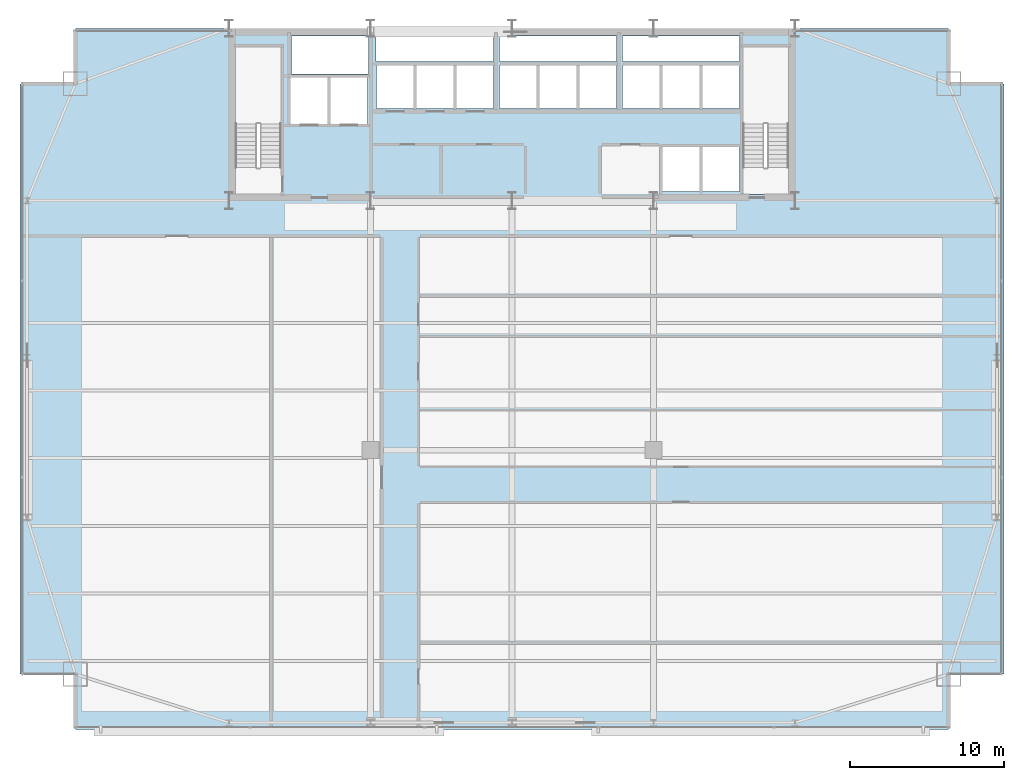
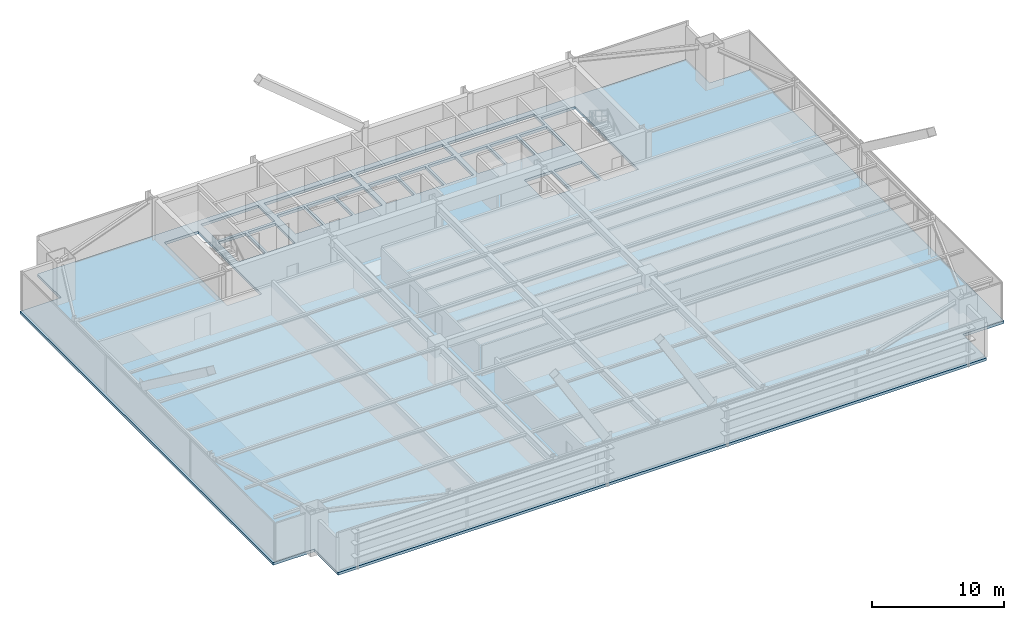
# One storey, part 26 of 35: 1 slab.
"""IFC4 building model written with IfcOpenShell, lengths in metres."""

from ifc_helpers import new_model, si_unit, direction, frame, origin, place, context, subcontext, project, spatial, polyline, outline, extrude, material, layer, layer_set, type_object, element, save


model = new_model("IFC4")

# Units and contexts
model_context = context("Model", 3, precision=1e-05, world=origin(), true_north=direction((0.0, 1.0)))
body_context = subcontext(model_context, "Body", "Model", "MODEL_VIEW")
ifc_project = project(units=[si_unit("LENGTHUNIT", "METRE"), si_unit("AREAUNIT", "SQUARE_METRE"), si_unit("VOLUMEUNIT", "CUBIC_METRE"), si_unit("PLANEANGLEUNIT", "RADIAN"), si_unit("MASSUNIT", "GRAM", prefix="KILO")], contexts=[model_context])

# Site, building, storey
site_placement = place(None, origin())
site = spatial("IfcSite", under=ifc_project, at=site_placement, CompositionType="ELEMENT")
building_placement = place(site_placement, origin())
building = spatial("IfcBuilding", under=site, at=building_placement, Name="Varnel Quay Broadcast Tower", CompositionType="ELEMENT")
storey_placement = place(building_placement, frame((0.0, 0.0, 31.5)))
storey = spatial("IfcBuildingStorey", under=building, at=storey_placement, Name="L06", CompositionType="ELEMENT", Elevation=31.5)

# Slab
ifc_material = material(Name="Concrete CSA A23.3 C50/60", Category="concrete")
ifc_layer = layer(ifc_material, 0.25, Name="Concrete CSA A23.3 C50/60")
ifc_layer_set = layer_set([ifc_layer], Name="Concrete CSA A23.3 C50/60")
slab_type = type_object("IfcSlabType", Name="Slab_Floor250", PredefinedType="FLOOR", material=ifc_layer_set)
slab_placement = place(storey_placement, frame((0.0, 0.0, -0.25)))
element("IfcSlab", 1, at=slab_placement, inside=storey, type_object=slab_type, Name="L06 Structural Slab", PredefinedType="FLOOR", context=body_context, shape_type="SweptSolid", body=[
    extrude(outline(polyline([(5.60009765625, 1.199951171875), (62.39990234375, 1.199951171875), (62.39990234375, 4.800048828125), (66.0, 4.800048828125), (66.0, 43.199951171875), (62.39990234375, 43.199951171875), (62.39990234375, 46.800048828125), (5.60009765625, 46.800048828125), (5.60009765625, 43.199951171875), (2.0, 43.199951171875), (2.0, 4.800048828125), (5.60009765625, 4.800048828125), (5.60009765625, 1.199951171875)]), holes=[polyline([(16.0, 36.0), (16.0, 45.60009765625), (19.0, 45.60009765625), (19.0, 36.0), (16.0, 36.0)]), polyline([(19.60009765625, 43.60009765625), (22.0, 43.60009765625), (22.0, 40.60009765625), (19.60009765625, 40.60009765625), (19.60009765625, 43.60009765625)]), polyline([(22.199951171875, 43.60009765625), (24.60009765625, 43.60009765625), (24.60009765625, 40.60009765625), (22.199951171875, 40.60009765625), (22.199951171875, 43.60009765625)]), polyline([(25.199951171875, 44.39990234375), (27.60009765625, 44.39990234375), (27.60009765625, 41.60009765625), (25.199951171875, 41.60009765625), (25.199951171875, 44.39990234375)]), polyline([(27.800048828125, 44.39990234375), (30.199951171875, 44.39990234375), (30.199951171875, 41.60009765625), (27.800048828125, 41.60009765625), (27.800048828125, 44.39990234375)]), polyline([(30.39990234375, 44.39990234375), (32.800048828125, 44.39990234375), (32.800048828125, 41.60009765625), (30.39990234375, 41.60009765625), (30.39990234375, 44.39990234375)]), polyline([(33.199951171875, 44.39990234375), (35.60009765625, 44.39990234375), (35.60009765625, 41.60009765625), (33.199951171875, 41.60009765625), (33.199951171875, 44.39990234375)]), polyline([(38.199951171875, 44.39990234375), (38.199951171875, 41.60009765625), (35.800048828125, 41.60009765625), (35.800048828125, 44.39990234375), (38.199951171875, 44.39990234375)]), polyline([(24.679931640625, 46.300048828125), (24.679931640625, 43.85009765625), (19.64990234375, 43.85009765625), (19.64990234375, 46.300048828125), (24.679931640625, 46.300048828125)]), polyline([(25.14990234375, 46.300048828125), (32.800048828125, 46.300048828125), (32.800048828125, 44.64990234375), (25.14990234375, 44.64990234375), (25.14990234375, 46.300048828125)]), polyline([(43.800048828125, 39.10009765625), (46.199951171875, 39.10009765625), (46.199951171875, 36.199951171875), (43.800048828125, 36.199951171875), (43.800048828125, 39.10009765625)]), polyline([(46.39990234375, 39.10009765625), (48.800048828125, 39.10009765625), (48.800048828125, 36.199951171875), (46.39990234375, 36.199951171875), (46.39990234375, 39.10009765625)]), polyline([(49.0, 45.60009765625), (52.0, 45.60009765625), (52.0, 36.0), (49.0, 36.0), (49.0, 45.60009765625)]), polyline([(40.800048828125, 44.39990234375), (40.800048828125, 41.60009765625), (38.39990234375, 41.60009765625), (38.39990234375, 44.39990234375), (40.800048828125, 44.39990234375)]), polyline([(41.199951171875, 44.39990234375), (43.60009765625, 44.39990234375), (43.60009765625, 41.60009765625), (41.199951171875, 41.60009765625), (41.199951171875, 44.39990234375)]), polyline([(43.800048828125, 44.39990234375), (46.199951171875, 44.39990234375), (46.199951171875, 41.60009765625), (43.800048828125, 41.60009765625), (43.800048828125, 44.39990234375)]), polyline([(46.39990234375, 44.39990234375), (48.800048828125, 44.39990234375), (48.800048828125, 41.60009765625), (46.39990234375, 41.60009765625), (46.39990234375, 44.39990234375)]), polyline([(40.800048828125, 46.300048828125), (40.800048828125, 44.64990234375), (33.199951171875, 44.64990234375), (33.199951171875, 46.300048828125), (40.800048828125, 46.300048828125)]), polyline([(48.800048828125, 46.300048828125), (48.800048828125, 44.64990234375), (41.199951171875, 44.64990234375), (41.199951171875, 46.300048828125), (48.800048828125, 46.300048828125)])]), origin(), (0.0, 0.0, 1.0), 0.25),
])

save(model, "model.ifc")
